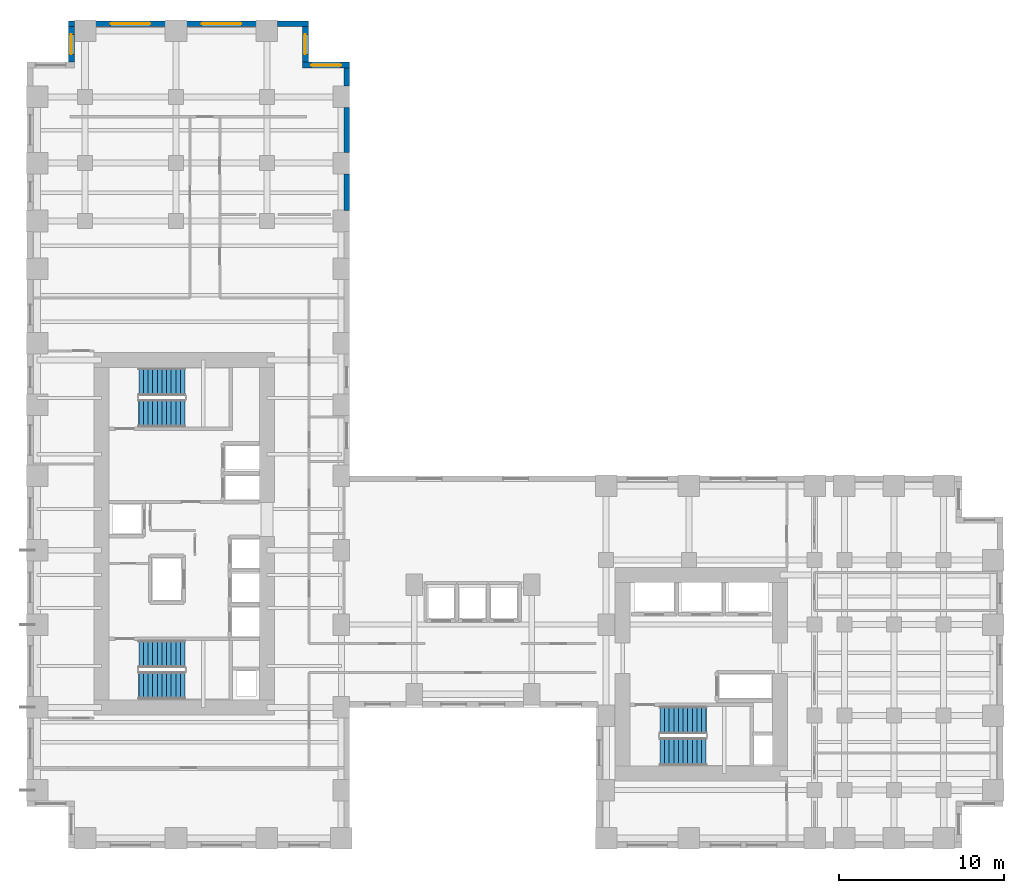
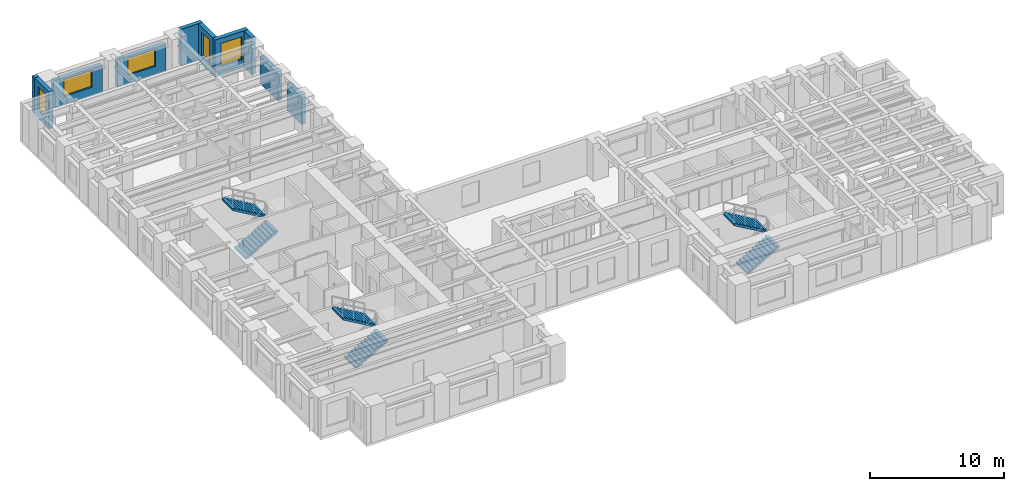
# One storey, part 9 of 11: 10 walls, 6 stair flights, 5 windows, 5 openings, 3 elements without a shape of their own.
"""IFC4 building model written with IfcOpenShell, lengths in metres."""

from ifc_helpers import new_model, si_unit, direction, frame, frame_2d, origin, place, context, subcontext, project, spatial, polyline, rectangle, outline, extrude, source, transform, mapped, material, layer, layer_set, type_object, element, fill, aggregate, save


model = new_model("IFC4")

# Units and contexts
model_context = context("Model", 3, precision=1e-05, world=origin(), true_north=direction((0.0, 1.0)))
body_context = subcontext(model_context, "Body", "Model", "MODEL_VIEW")
ifc_project = project(units=[si_unit("LENGTHUNIT", "METRE"), si_unit("AREAUNIT", "SQUARE_METRE"), si_unit("VOLUMEUNIT", "CUBIC_METRE"), si_unit("PLANEANGLEUNIT", "RADIAN"), si_unit("MASSUNIT", "GRAM", prefix="KILO")], contexts=[model_context])

# Site, building, storey
site_placement = place(None, origin())
site = spatial("IfcSite", under=ifc_project, at=site_placement, CompositionType="ELEMENT")
building_placement = place(site_placement, origin())
building = spatial("IfcBuilding", under=site, at=building_placement, Name="Kharzan Plaza Tower", CompositionType="ELEMENT")
storey_placement = place(building_placement, frame((0.0, 0.0, 54.89990234375)))
storey = spatial("IfcBuildingStorey", under=building, at=storey_placement, Name="L14", CompositionType="ELEMENT", Elevation=54.89990234375)

# Wall, opening, window
ifc_material_1 = material(Name="Concrete C40/50", Category="concrete")
ifc_layer = layer(ifc_material_1, 0.35009765625)
ifc_layer_set = layer_set([ifc_layer], Name="Concrete C40/50")
wall_type = type_object("IfcWallType", Name="WL-EXT-MAS-Z1", PredefinedType="SOLIDWALL", material=ifc_layer_set)
wall_1_placement = place(storey_placement, frame((19.5, 47.324951171875, 0.0), z_axis=(0.0, 0.0, 1.0), x_axis=(-1.0, 0.0, 0.0)))
wall_1 = element("IfcWall", 1, at=wall_1_placement, inside=storey, type_object=wall_type, Name="L14 Masonry-Frame Exterior Wall 01", PredefinedType="SOLIDWALL", context=body_context, shape_type="SweptSolid", body=[
    extrude(rectangle(XDim=2.85009765625, YDim=0.35009765625, at=frame_2d((1.425048828125, 0.0))), origin(), (0.0, 0.0, 1.0), 3.364990234375),
])
opening_1_placement = place(wall_1_placement, frame((0.52490234375, 0.0, 0.780029296875)))
opening_1 = element("IfcOpeningElement", 2, at=opening_1_placement, cuts=wall_1, Name="Opening W1", PredefinedType="OPENING", context=body_context, shape_type="SweptSolid", body=[
    extrude(rectangle(XDim=1.800048828125, YDim=2.10009765625, at=frame_2d((0.89990234375, 1.050048828125))), frame((0.0, 0.18505859375, 0.0), z_axis=(0.0, -1.0, 0.0), x_axis=(1.0, 0.0, 0.0)), (0.0, 0.0, 1.0), 0.3701171875),
])
ifc_material_2 = material(Name="Low-E Double Glazing", Category="glass")
window_type_1 = type_object("IfcWindowType", Name="WN-REC-1800x2100", PartitioningType="SINGLE_PANEL", PredefinedType="WINDOW", material=ifc_material_2)
shared_shape_1 = source(origin(), body_context, "Body", "SweptSolid", [
    extrude(rectangle(XDim=1.800048828125, YDim=2.10009765625, at=frame_2d((0.89990234375, 1.050048828125))), frame((0.0, 0.030029296875, 0.0), z_axis=(0.0, -1.0, 0.0), x_axis=(1.0, 0.0, 0.0)), (0.0, 0.0, 1.0), 0.06005859375),
])
window_1_placement = place(opening_1_placement, origin())
window_1 = element("IfcWindow", 3, at=window_1_placement, inside=storey, type_object=window_type_1, Name="L14 Recessed Solar-Control Window 01-1", OverallHeight=2.10009765625, OverallWidth=1.800048828125, PartitioningType="SINGLE_PANEL", PredefinedType="WINDOW", context=body_context, shape_type="MappedRepresentation", body=[
    mapped(shared_shape_1, transform((0.0, 0.0, 0.0), x_axis=(1.0, 0.0, 0.0), y_axis=(0.0, 1.0, 0.0), z_axis=(0.0, 0.0, 1.0))),
])
fill(opening_1, window_1)

wall_2_placement = place(storey_placement, frame((16.824951171875, 47.498046875, 0.0), z_axis=(0.0, 0.0, 1.0), x_axis=(0.0, 1.0, 0.0)))
wall_2 = element("IfcWall", 4, at=wall_2_placement, inside=storey, type_object=wall_type, Name="L14 Masonry-Frame Exterior Wall 02", PredefinedType="SOLIDWALL", context=body_context, shape_type="SweptSolid", body=[
    extrude(rectangle(XDim=2.154052734375, YDim=0.35009765625, at=frame_2d((1.0771484375, 0.0))), origin(), (0.0, 0.0, 1.0), 3.364990234375),
])
opening_2_placement = place(wall_2_placement, frame((0.47705078125, 0.0, 0.780029296875)))
opening_2 = element("IfcOpeningElement", 5, at=opening_2_placement, cuts=wall_2, Name="Opening W3", PredefinedType="OPENING", context=body_context, shape_type="SweptSolid", body=[
    extrude(rectangle(XDim=1.199951171875, YDim=2.10009765625, at=frame_2d((0.60009765625, 1.050048828125))), frame((0.0, 0.18505859375, 0.0), z_axis=(0.0, -1.0, 0.0), x_axis=(1.0, 0.0, 0.0)), (0.0, 0.0, 1.0), 0.3701171875),
])
window_type_2 = type_object("IfcWindowType", Name="WN-REC-1200x2100", PartitioningType="SINGLE_PANEL", PredefinedType="WINDOW", material=ifc_material_2)
shared_shape_2 = source(origin(), body_context, "Body", "SweptSolid", [
    extrude(rectangle(XDim=1.199951171875, YDim=2.10009765625, at=frame_2d((0.60009765625, 1.050048828125))), frame((0.0, 0.030029296875, 0.0), z_axis=(0.0, -1.0, 0.0), x_axis=(1.0, 0.0, 0.0)), (0.0, 0.0, 1.0), 0.06005859375),
])
window_2_placement = place(opening_2_placement, origin())
window_2 = element("IfcWindow", 6, at=window_2_placement, inside=storey, type_object=window_type_2, Name="L14 Recessed Solar-Control Window 02-1", OverallHeight=2.10009765625, OverallWidth=1.199951171875, PartitioningType="SINGLE_PANEL", PredefinedType="WINDOW", context=body_context, shape_type="MappedRepresentation", body=[
    mapped(shared_shape_2, transform((0.0, 0.0, 0.0), x_axis=(1.0, 0.0, 0.0), y_axis=(0.0, 1.0, 0.0), z_axis=(0.0, 0.0, 1.0))),
])
fill(opening_2, window_2)

wall_3_placement = place(storey_placement, frame((13.85205078125, 49.824951171875, 0.0), z_axis=(0.0, 0.0, 1.0), x_axis=(-1.0, 0.0, 0.0)))
wall_3 = element("IfcWall", 7, at=wall_3_placement, inside=storey, type_object=wall_type, Name="L14 Masonry-Frame Exterior Wall 04", PredefinedType="SOLIDWALL", context=body_context, shape_type="SweptSolid", body=[
    extrude(rectangle(XDim=4.2041015625, YDim=0.35009765625, at=frame_2d((2.10205078125, 0.0))), origin(), (0.0, 0.0, 1.0), 2.510009765625),
])
opening_3_placement = place(wall_3_placement, frame((0.902099609375, 0.0, 0.780029296875)))
opening_3 = element("IfcOpeningElement", 8, at=opening_3_placement, cuts=wall_3, Name="Opening W2", PredefinedType="OPENING", context=body_context, shape_type="SweptSolid", body=[
    extrude(rectangle(XDim=2.39990234375, YDim=1.550048828125, at=frame_2d((1.199951171875, 0.77490234375))), frame((0.0, 0.18505859375, 0.0), z_axis=(0.0, -1.0, 0.0), x_axis=(1.0, 0.0, 0.0)), (0.0, 0.0, 1.0), 0.3701171875),
])
window_type_3 = type_object("IfcWindowType", Name="WN-REC-2400x2100", PartitioningType="SINGLE_PANEL", PredefinedType="WINDOW", material=ifc_material_2)
shared_shape_3 = source(origin(), body_context, "Body", "SweptSolid", [
    extrude(rectangle(XDim=2.39990234375, YDim=1.550048828125, at=frame_2d((1.199951171875, 0.77490234375))), frame((0.0, 0.030029296875, 0.0), z_axis=(0.0, -1.0, 0.0), x_axis=(1.0, 0.0, 0.0)), (0.0, 0.0, 1.0), 0.06005859375),
])
window_3_placement = place(opening_3_placement, origin())
window_3 = element("IfcWindow", 9, at=window_3_placement, inside=storey, type_object=window_type_3, Name="L14 Wide Recessed Solar-Control Window 04-1", OverallHeight=1.550048828125, OverallWidth=2.39990234375, PartitioningType="SINGLE_PANEL", PredefinedType="WINDOW", context=body_context, shape_type="MappedRepresentation", body=[
    mapped(shared_shape_3, transform((0.0, 0.0, 0.0), x_axis=(1.0, 0.0, 0.0), y_axis=(0.0, 1.0, 0.0), z_axis=(0.0, 0.0, 1.0))),
])
fill(opening_3, window_3)

wall_4_placement = place(storey_placement, frame((8.35205078125, 49.824951171875, 0.0), z_axis=(0.0, 0.0, 1.0), x_axis=(-1.0, 0.0, 0.0)))
wall_4 = element("IfcWall", 10, at=wall_4_placement, inside=storey, type_object=wall_type, Name="L14 Masonry-Frame Exterior Wall 05", PredefinedType="SOLIDWALL", context=body_context, shape_type="SweptSolid", body=[
    extrude(rectangle(XDim=4.2041015625, YDim=0.35009765625, at=frame_2d((2.10205078125, 0.0))), origin(), (0.0, 0.0, 1.0), 2.510009765625),
])
opening_4_placement = place(wall_4_placement, frame((0.902099609375, 0.0, 0.780029296875)))
opening_4 = element("IfcOpeningElement", 11, at=opening_4_placement, cuts=wall_4, Name="Opening W2", PredefinedType="OPENING", context=body_context, shape_type="SweptSolid", body=[
    extrude(rectangle(XDim=2.39990234375, YDim=1.550048828125, at=frame_2d((1.199951171875, 0.77490234375))), frame((0.0, 0.18505859375, 0.0), z_axis=(0.0, -1.0, 0.0), x_axis=(1.0, 0.0, 0.0)), (0.0, 0.0, 1.0), 0.3701171875),
])
window_4_placement = place(opening_4_placement, origin())
window_4 = element("IfcWindow", 12, at=window_4_placement, inside=storey, type_object=window_type_3, Name="L14 Wide Recessed Solar-Control Window 05-1", OverallHeight=1.550048828125, OverallWidth=2.39990234375, PartitioningType="SINGLE_PANEL", PredefinedType="WINDOW", context=body_context, shape_type="MappedRepresentation", body=[
    mapped(shared_shape_3, transform((0.0, 0.0, 0.0), x_axis=(1.0, 0.0, 0.0), y_axis=(0.0, 1.0, 0.0), z_axis=(0.0, 0.0, 1.0))),
])
fill(opening_4, window_4)

wall_5_placement = place(storey_placement, frame((2.675048828125, 49.652099609375, 0.0), z_axis=(0.0, 0.0, 1.0), x_axis=(0.0, -1.0, 0.0)))
wall_5 = element("IfcWall", 13, at=wall_5_placement, inside=storey, type_object=wall_type, Name="L14 Masonry-Frame Exterior Wall 07", PredefinedType="SOLIDWALL", context=body_context, shape_type="SweptSolid", body=[
    extrude(rectangle(XDim=2.154052734375, YDim=0.35009765625, at=frame_2d((1.0771484375, 0.0))), origin(), (0.0, 0.0, 1.0), 3.364990234375),
])
opening_5_placement = place(wall_5_placement, frame((0.47705078125, 0.0, 0.780029296875)))
opening_5 = element("IfcOpeningElement", 14, at=opening_5_placement, cuts=wall_5, Name="Opening W3", PredefinedType="OPENING", context=body_context, shape_type="SweptSolid", body=[
    extrude(rectangle(XDim=1.199951171875, YDim=2.10009765625, at=frame_2d((0.60009765625, 1.050048828125))), frame((0.0, 0.18505859375, 0.0), z_axis=(0.0, -1.0, 0.0), x_axis=(1.0, 0.0, 0.0)), (0.0, 0.0, 1.0), 0.3701171875),
])
window_5_placement = place(opening_5_placement, origin())
window_5 = element("IfcWindow", 15, at=window_5_placement, inside=storey, type_object=window_type_2, Name="L14 Recessed Solar-Control Window 07-1", OverallHeight=2.10009765625, OverallWidth=1.199951171875, PartitioningType="SINGLE_PANEL", PredefinedType="WINDOW", context=body_context, shape_type="MappedRepresentation", body=[
    mapped(shared_shape_2, transform((0.0, 0.0, 0.0), x_axis=(1.0, 0.0, 0.0), y_axis=(0.0, 1.0, 0.0), z_axis=(0.0, 0.0, 1.0))),
])
fill(opening_5, window_5)

# Walls
shared_shape_4 = source(origin(), body_context, "Body", "SweptSolid", [
    extrude(rectangle(XDim=1.85205078125, YDim=0.35009765625, at=frame_2d((0.926025390625, 0.0))), origin(), (0.0, 0.0, 1.0), 3.364990234375),
])
wall_6_placement = place(storey_placement, frame((17.0, 49.824951171875, 0.0), z_axis=(0.0, 0.0, 1.0), x_axis=(-1.0, 0.0, 0.0)))
element("IfcWall", 16, at=wall_6_placement, inside=storey, type_object=wall_type, Name="L14 Masonry-Frame Exterior Wall 03", PredefinedType="SOLIDWALL", context=body_context, shape_type="MappedRepresentation", body=[
    mapped(shared_shape_4, transform((0.0, 0.0, 0.0), x_axis=(1.0, 0.0, 0.0), y_axis=(0.0, 1.0, 0.0), z_axis=(0.0, 0.0, 1.0))),
])
shared_shape_5 = source(origin(), body_context, "Body", "SweptSolid", [
    extrude(rectangle(XDim=0.35205078125, YDim=0.35009765625, at=frame_2d((0.176025390625, 0.0))), origin(), (0.0, 0.0, 1.0), 3.364990234375),
])
wall_7_placement = place(storey_placement, frame((2.85205078125, 49.824951171875, 0.0), z_axis=(0.0, 0.0, 1.0), x_axis=(-1.0, 0.0, 0.0)))
element("IfcWall", 17, at=wall_7_placement, inside=storey, type_object=wall_type, Name="L14 Masonry-Frame Exterior Wall 06", PredefinedType="SOLIDWALL", context=body_context, shape_type="MappedRepresentation", body=[
    mapped(shared_shape_5, transform((0.0, 0.0, 0.0), x_axis=(1.0, 0.0, 0.0), y_axis=(0.0, 1.0, 0.0), z_axis=(0.0, 0.0, 1.0))),
])
shared_shape_6 = source(origin(), body_context, "Body", "SweptSolid", [
    extrude(rectangle(XDim=1.10400390625, YDim=0.35009765625, at=frame_2d((0.552001953125, 0.0))), origin(), (0.0, 0.0, 1.0), 3.364990234375),
])
wall_8_placement = place(storey_placement, frame((19.324951171875, 46.048095703125, 0.0), z_axis=(0.0, 0.0, 1.0), x_axis=(0.0, 1.0, 0.0)))
element("IfcWall", 18, at=wall_8_placement, inside=storey, type_object=wall_type, Name="L14 Masonry-Frame Exterior Wall 60", PredefinedType="SOLIDWALL", context=body_context, shape_type="MappedRepresentation", body=[
    mapped(shared_shape_6, transform((0.0, 0.0, 0.0), x_axis=(1.0, 0.0, 0.0), y_axis=(0.0, 1.0, 0.0), z_axis=(0.0, 0.0, 1.0))),
])
shared_shape_7 = source(origin(), body_context, "Body", "SweptSolid", [
    extrude(rectangle(XDim=2.203857421875, YDim=0.35009765625, at=frame_2d((1.10205078125, 0.0))), origin(), (0.0, 0.0, 1.0), 2.510009765625),
])
wall_9_placement = place(storey_placement, frame((19.324951171875, 38.548095703125, 0.0), z_axis=(0.0, 0.0, 1.0), x_axis=(0.0, 1.0, 0.0)))
element("IfcWall", 19, at=wall_9_placement, inside=storey, type_object=wall_type, Name="L14 Masonry-Frame Exterior Wall 58", PredefinedType="SOLIDWALL", context=body_context, shape_type="MappedRepresentation", body=[
    mapped(shared_shape_7, transform((0.0, 0.0, 0.0), x_axis=(1.0, 0.0, 0.0), y_axis=(0.0, 1.0, 0.0), z_axis=(0.0, 0.0, 1.0))),
])
shared_shape_8 = source(origin(), body_context, "Body", "SweptSolid", [
    extrude(rectangle(XDim=2.703857421875, YDim=0.35009765625, at=frame_2d((1.35205078125, 0.0))), origin(), (0.0, 0.0, 1.0), 2.510009765625),
])
wall_10_placement = place(storey_placement, frame((19.324951171875, 42.048095703125, 0.0), z_axis=(0.0, 0.0, 1.0), x_axis=(0.0, 1.0, 0.0)))
element("IfcWall", 20, at=wall_10_placement, inside=storey, type_object=wall_type, Name="L14 Masonry-Frame Exterior Wall 59", PredefinedType="SOLIDWALL", context=body_context, shape_type="MappedRepresentation", body=[
    mapped(shared_shape_8, transform((0.0, 0.0, 0.0), x_axis=(1.0, 0.0, 0.0), y_axis=(0.0, 1.0, 0.0), z_axis=(0.0, 0.0, 1.0))),
])

# Stair, stair flights
stair_type_1 = type_object("IfcStairType", Name="STR-ST-1", PredefinedType="HALF_TURN_STAIR", material=ifc_material_1)
stair_1_placement = place(storey_placement, origin())
stair_1 = element("IfcStair", 21, at=stair_1_placement, inside=storey, type_object=stair_type_1, Name="L14 Protected Exit Stair ST-1", PredefinedType="HALF_TURN_STAIR")
stair_flight_type = type_object("IfcStairFlightType", Name="SFL-1650-R173", PredefinedType="STRAIGHT", material=ifc_material_1)
shared_shape_9 = source(origin(), body_context, "Body", "SweptSolid", [
    extrude(outline(polyline([(-0.0029296875, -0.011962890625), (-0.0029296875, 0.0), (0.0, 0.0), (0.0, 0.16357421875), (0.280029296875, 0.16357421875), (0.280029296875, 0.3271484375), (0.56005859375, 0.3271484375), (0.56005859375, 0.49072265625), (0.840087890625, 0.49072265625), (0.840087890625, 0.654296875), (1.1201171875, 0.654296875), (1.1201171875, 0.81787109375), (1.400146484375, 0.81787109375), (1.400146484375, 0.9814453125), (1.68017578125, 0.9814453125), (1.68017578125, 1.14501953125), (1.960205078125, 1.14501953125), (1.960205078125, 1.30859375), (2.240234375, 1.30859375), (2.240234375, 1.47216796875), (2.520263671875, 1.47216796875), (2.520263671875, 1.6357421875), (2.80029296875, 1.6357421875), (2.80029296875, 1.79931640625), (2.80029296875, 1.462158203125), (0.297119140625, 0.0), (0.297119140625, -0.011962890625), (-0.0029296875, -0.011962890625)])), frame((0.0, 0.824951171875, 0.0), z_axis=(0.0, -1.0, 0.0), x_axis=(1.0, 0.0, 0.0)), (0.0, 0.0, 1.0), 1.64990234375),
])
stair_flight_1_placement = place(storey_placement, frame((6.75, 9.824951171875, 0.0), z_axis=(0.0, 0.0, 1.0), x_axis=(1.0, 0.0, 0.0)))
stair_flight_1 = element("IfcStairFlight", 22, at=stair_flight_1_placement, type_object=stair_flight_type, Name="ST-1 flight 1", NumberOfRisers=11, NumberOfTreads=10, PredefinedType="STRAIGHT", RiserHeight=0.163636364, TreadLength=0.28, context=body_context, shape_type="MappedRepresentation", body=[
    mapped(shared_shape_9, transform((0.0, 0.0, 0.0), x_axis=(1.0, 0.0, 0.0), y_axis=(0.0, 1.0, 0.0), z_axis=(0.0, 0.0, 1.0))),
])
stair_flight_2_placement = place(storey_placement, frame((9.550048828125, 11.72509765625, 1.800048828125), z_axis=(0.0, 0.0, 1.0), x_axis=(-1.0, 0.0, 0.0)))
stair_flight_2 = element("IfcStairFlight", 23, at=stair_flight_2_placement, type_object=stair_flight_type, Name="ST-1 flight 2", NumberOfRisers=11, NumberOfTreads=10, PredefinedType="STRAIGHT", RiserHeight=0.163636364, TreadLength=0.28, context=body_context, shape_type="MappedRepresentation", body=[
    mapped(shared_shape_9, transform((0.0, 0.0, 0.0), x_axis=(1.0, 0.0, 0.0), y_axis=(0.0, 1.0, 0.0), z_axis=(0.0, 0.0, 1.0))),
])
aggregate(stair_1, [stair_flight_1, stair_flight_2])

stair_type_2 = type_object("IfcStairType", Name="STR-ST-2", PredefinedType="HALF_TURN_STAIR", material=ifc_material_1)
stair_2_placement = place(storey_placement, origin())
stair_2 = element("IfcStair", 24, at=stair_2_placement, inside=storey, type_object=stair_type_2, Name="L14 Protected Exit Stair ST-2", PredefinedType="HALF_TURN_STAIR")
stair_flight_3_placement = place(storey_placement, frame((6.75, 26.27490234375, 0.0), z_axis=(0.0, 0.0, 1.0), x_axis=(1.0, 0.0, 0.0)))
stair_flight_3 = element("IfcStairFlight", 25, at=stair_flight_3_placement, type_object=stair_flight_type, Name="ST-2 flight 1", NumberOfRisers=11, NumberOfTreads=10, PredefinedType="STRAIGHT", RiserHeight=0.163636364, TreadLength=0.28, context=body_context, shape_type="MappedRepresentation", body=[
    mapped(shared_shape_9, transform((0.0, 0.0, 0.0), x_axis=(1.0, 0.0, 0.0), y_axis=(0.0, 1.0, 0.0), z_axis=(0.0, 0.0, 1.0))),
])
stair_flight_4_placement = place(storey_placement, frame((9.550048828125, 28.175048828125, 1.800048828125), z_axis=(0.0, 0.0, 1.0), x_axis=(-1.0, 0.0, 0.0)))
stair_flight_4 = element("IfcStairFlight", 26, at=stair_flight_4_placement, type_object=stair_flight_type, Name="ST-2 flight 2", NumberOfRisers=11, NumberOfTreads=10, PredefinedType="STRAIGHT", RiserHeight=0.163636364, TreadLength=0.28, context=body_context, shape_type="MappedRepresentation", body=[
    mapped(shared_shape_9, transform((0.0, 0.0, 0.0), x_axis=(1.0, 0.0, 0.0), y_axis=(0.0, 1.0, 0.0), z_axis=(0.0, 0.0, 1.0))),
])
aggregate(stair_2, [stair_flight_3, stair_flight_4])

stair_type_3 = type_object("IfcStairType", Name="STR-ST-3", PredefinedType="HALF_TURN_STAIR", material=ifc_material_1)
stair_3_placement = place(storey_placement, origin())
stair_3 = element("IfcStair", 27, at=stair_3_placement, inside=storey, type_object=stair_type_3, Name="L14 Protected Exit Stair ST-3", PredefinedType="HALF_TURN_STAIR")
stair_flight_5_placement = place(storey_placement, frame((38.25, 5.824951171875, 0.0), z_axis=(0.0, 0.0, 1.0), x_axis=(1.0, 0.0, 0.0)))
stair_flight_5 = element("IfcStairFlight", 28, at=stair_flight_5_placement, type_object=stair_flight_type, Name="ST-3 flight 1", NumberOfRisers=11, NumberOfTreads=10, PredefinedType="STRAIGHT", RiserHeight=0.163636364, TreadLength=0.28, context=body_context, shape_type="MappedRepresentation", body=[
    mapped(shared_shape_9, transform((0.0, 0.0, 0.0), x_axis=(1.0, 0.0, 0.0), y_axis=(0.0, 1.0, 0.0), z_axis=(0.0, 0.0, 1.0))),
])
stair_flight_6_placement = place(storey_placement, frame((41.050048828125, 7.72509765625, 1.800048828125), z_axis=(0.0, 0.0, 1.0), x_axis=(-1.0, 0.0, 0.0)))
stair_flight_6 = element("IfcStairFlight", 29, at=stair_flight_6_placement, type_object=stair_flight_type, Name="ST-3 flight 2", NumberOfRisers=11, NumberOfTreads=10, PredefinedType="STRAIGHT", RiserHeight=0.163636364, TreadLength=0.28, context=body_context, shape_type="MappedRepresentation", body=[
    mapped(shared_shape_9, transform((0.0, 0.0, 0.0), x_axis=(1.0, 0.0, 0.0), y_axis=(0.0, 1.0, 0.0), z_axis=(0.0, 0.0, 1.0))),
])
aggregate(stair_3, [stair_flight_5, stair_flight_6])

save(model, "model.ifc")
